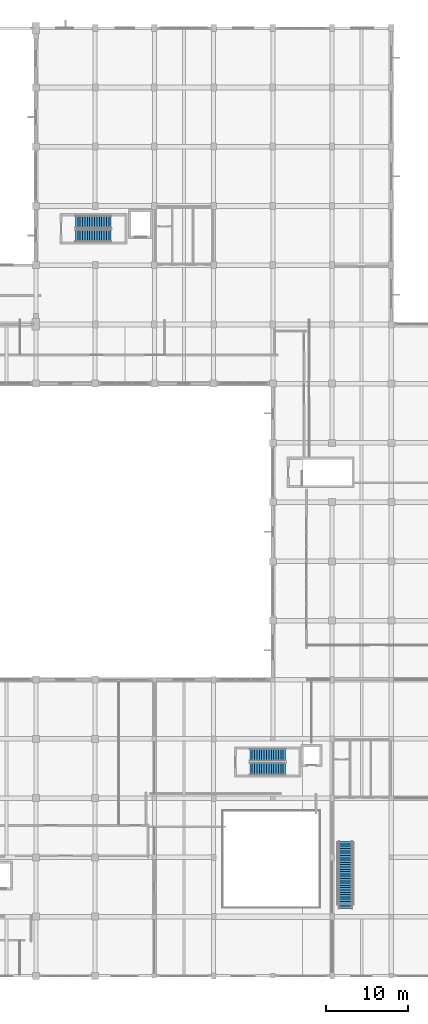
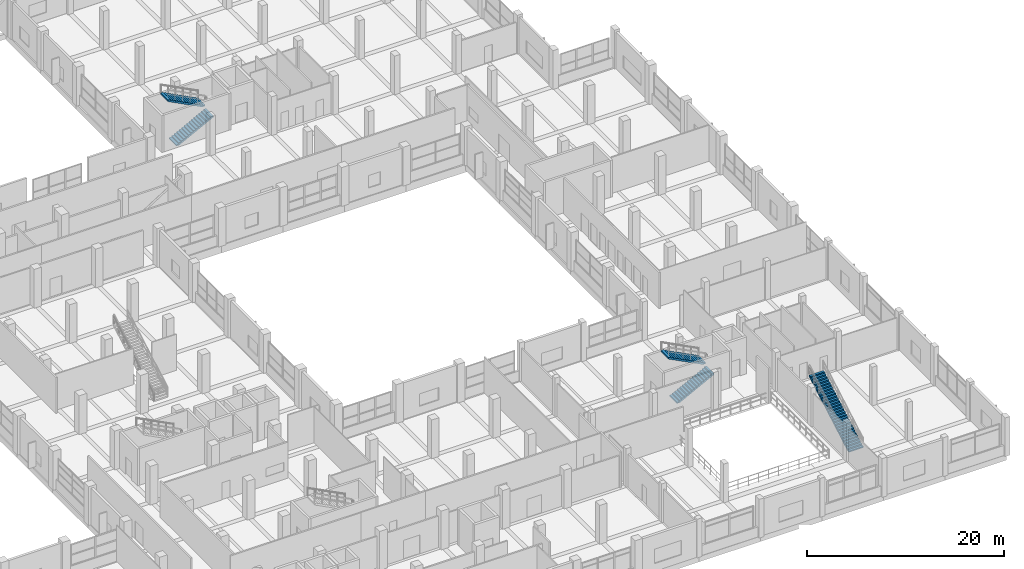
# One storey, part 169 of 181: 5 stair flights, 3 elements without a shape of their own.
"""IFC4 building model written with IfcOpenShell, lengths in metres."""

from ifc_helpers import new_model, si_unit, direction, frame, origin, place, context, subcontext, project, spatial, polyline, outline, extrude, material, type_object, element, aggregate, save


model = new_model("IFC4")

# Units and contexts
model_context = context("Model", 3, precision=1e-05, world=origin(), true_north=direction((0.0, 1.0)))
body_context = subcontext(model_context, "Body", "Model", "MODEL_VIEW")
ifc_project = project(units=[si_unit("LENGTHUNIT", "METRE"), si_unit("AREAUNIT", "SQUARE_METRE"), si_unit("VOLUMEUNIT", "CUBIC_METRE"), si_unit("PLANEANGLEUNIT", "RADIAN"), si_unit("MASSUNIT", "GRAM", prefix="KILO")], contexts=[model_context])

# Site, building, storey
site_placement = place(None, origin())
site = spatial("IfcSite", under=ifc_project, at=site_placement, CompositionType="ELEMENT")
building_placement = place(site_placement, origin())
building = spatial("IfcBuilding", under=site, at=building_placement, Name="Seraya Terrace Polytechnic", CompositionType="ELEMENT")
storey_placement = place(building_placement, frame((0.0, 0.0, 4.800048828125)))
storey = spatial("IfcBuildingStorey", under=building, at=storey_placement, Name="L01", CompositionType="ELEMENT", Elevation=4.800048828125)

# Stair, stair flights
ifc_material = material(Name="Concrete C40/50", Category="concrete")
stair_type_1 = type_object("IfcStairType", Name="ST-T1", PredefinedType="HALF_TURN_STAIR", material=ifc_material)
stair_1_placement = place(storey_placement, origin())
stair_1 = element("IfcStair", 1, at=stair_1_placement, inside=storey, type_object=stair_type_1, Name="L01 Protected exit stair ST-08", PredefinedType="HALF_TURN_STAIR")
stair_flight_type_1 = type_object("IfcStairFlightType", Name="SF-01", PredefinedType="STRAIGHT", material=ifc_material)
stair_flight_1_placement = place(storey_placement, frame((120.0, 89.949951171875, 0.0), z_axis=(0.0, 0.0, 1.0), x_axis=(1.0, 0.0, 0.0)))
stair_flight_1 = element("IfcStairFlight", 2, at=stair_flight_1_placement, type_object=stair_flight_type_1, Name="ST-08 flight 1", NumberOfRisers=16, NumberOfTreads=15, PredefinedType="STRAIGHT", RiserHeight=0.15, TreadLength=0.29, context=body_context, shape_type="SweptSolid", body=[
    extrude(outline(polyline([(0.0, 0.0), (0.0, 0.14990234375), (0.2900390625, 0.14990234375), (0.2900390625, 0.300048828125), (0.580078125, 0.300048828125), (0.580078125, 0.449951171875), (0.8701171875, 0.449951171875), (0.8701171875, 0.60009765625), (1.159912109375, 0.60009765625), (1.159912109375, 0.75), (1.449951171875, 0.75), (1.449951171875, 0.89990234375), (1.739990234375, 0.89990234375), (1.739990234375, 1.050048828125), (2.030029296875, 1.050048828125), (2.030029296875, 1.199951171875), (2.320068359375, 1.199951171875), (2.320068359375, 1.35009765625), (2.610107421875, 1.35009765625), (2.610107421875, 1.5), (2.89990234375, 1.5), (2.89990234375, 1.64990234375), (3.18994140625, 1.64990234375), (3.18994140625, 1.800048828125), (3.47998046875, 1.800048828125), (3.47998046875, 1.949951171875), (3.77001953125, 1.949951171875), (3.77001953125, 2.10009765625), (4.06005859375, 2.10009765625), (4.06005859375, 2.25), (4.35009765625, 2.25), (4.35009765625, 2.39990234375), (4.35009765625, 2.070068359375), (0.34814453125, 0.0), (0.0, 0.0)])), frame((0.0, 0.75, 0.0), z_axis=(0.0, -1.0, 0.0), x_axis=(1.0, 0.0, 0.0)), (0.0, 0.0, 1.0), 1.5),
])
stair_flight_2_placement = place(storey_placement, frame((124.35009765625, 91.64990234375, 2.39990234375), z_axis=(0.0, 0.0, 1.0), x_axis=(-1.0, 0.0, 0.0)))
stair_flight_2 = element("IfcStairFlight", 3, at=stair_flight_2_placement, type_object=stair_flight_type_1, Name="ST-08 flight 2", NumberOfRisers=16, NumberOfTreads=15, PredefinedType="STRAIGHT", RiserHeight=0.15, TreadLength=0.29, context=body_context, shape_type="SweptSolid", body=[
    extrude(outline(polyline([(0.0, 0.0), (0.0, 0.14990234375), (0.2900390625, 0.14990234375), (0.2900390625, 0.300048828125), (0.580078125, 0.300048828125), (0.580078125, 0.449951171875), (0.8701171875, 0.449951171875), (0.8701171875, 0.60009765625), (1.159912109375, 0.60009765625), (1.159912109375, 0.75), (1.449951171875, 0.75), (1.449951171875, 0.89990234375), (1.739990234375, 0.89990234375), (1.739990234375, 1.050048828125), (2.030029296875, 1.050048828125), (2.030029296875, 1.199951171875), (2.320068359375, 1.199951171875), (2.320068359375, 1.35009765625), (2.610107421875, 1.35009765625), (2.610107421875, 1.5), (2.89990234375, 1.5), (2.89990234375, 1.64990234375), (3.18994140625, 1.64990234375), (3.18994140625, 1.800048828125), (3.47998046875, 1.800048828125), (3.47998046875, 1.949951171875), (3.77001953125, 1.949951171875), (3.77001953125, 2.10009765625), (4.06005859375, 2.10009765625), (4.06005859375, 2.25), (4.35009765625, 2.25), (4.35009765625, 2.39990234375), (4.35009765625, 2.070068359375), (0.34814453125, 0.0), (0.0, 0.0)])), frame((0.0, 0.75, 0.0), z_axis=(0.0, -1.0, 0.0), x_axis=(1.0, 0.0, 0.0)), (0.0, 0.0, 1.0), 1.5),
])
aggregate(stair_1, [stair_flight_1, stair_flight_2])

stair_2_placement = place(storey_placement, origin())
stair_2 = element("IfcStair", 4, at=stair_2_placement, inside=storey, type_object=stair_type_1, Name="L01 Protected exit stair ST-10", PredefinedType="HALF_TURN_STAIR")
stair_flight_3_placement = place(storey_placement, frame((141.199951171875, 25.14990234375, 0.0), z_axis=(0.0, 0.0, 1.0), x_axis=(1.0, 0.0, 0.0)))
stair_flight_3 = element("IfcStairFlight", 5, at=stair_flight_3_placement, type_object=stair_flight_type_1, Name="ST-10 flight 1", NumberOfRisers=16, NumberOfTreads=15, PredefinedType="STRAIGHT", RiserHeight=0.15, TreadLength=0.29, context=body_context, shape_type="SweptSolid", body=[
    extrude(outline(polyline([(0.0, 0.0), (0.0, 0.14990234375), (0.2900390625, 0.14990234375), (0.2900390625, 0.300048828125), (0.580078125, 0.300048828125), (0.580078125, 0.449951171875), (0.8701171875, 0.449951171875), (0.8701171875, 0.60009765625), (1.159912109375, 0.60009765625), (1.159912109375, 0.75), (1.449951171875, 0.75), (1.449951171875, 0.89990234375), (1.739990234375, 0.89990234375), (1.739990234375, 1.050048828125), (2.030029296875, 1.050048828125), (2.030029296875, 1.199951171875), (2.320068359375, 1.199951171875), (2.320068359375, 1.35009765625), (2.610107421875, 1.35009765625), (2.610107421875, 1.5), (2.89990234375, 1.5), (2.89990234375, 1.64990234375), (3.18994140625, 1.64990234375), (3.18994140625, 1.800048828125), (3.47998046875, 1.800048828125), (3.47998046875, 1.949951171875), (3.77001953125, 1.949951171875), (3.77001953125, 2.10009765625), (4.06005859375, 2.10009765625), (4.06005859375, 2.25), (4.35009765625, 2.25), (4.35009765625, 2.39990234375), (4.35009765625, 2.070068359375), (0.34814453125, 0.0), (0.0, 0.0)])), frame((0.0, 0.75, 0.0), z_axis=(0.0, -1.0, 0.0), x_axis=(1.0, 0.0, 0.0)), (0.0, 0.0, 1.0), 1.5),
])
stair_flight_4_placement = place(storey_placement, frame((145.550048828125, 26.85009765625, 2.39990234375), z_axis=(0.0, 0.0, 1.0), x_axis=(-1.0, 0.0, 0.0)))
stair_flight_4 = element("IfcStairFlight", 6, at=stair_flight_4_placement, type_object=stair_flight_type_1, Name="ST-10 flight 2", NumberOfRisers=16, NumberOfTreads=15, PredefinedType="STRAIGHT", RiserHeight=0.15, TreadLength=0.29, context=body_context, shape_type="SweptSolid", body=[
    extrude(outline(polyline([(0.0, 0.0), (0.0, 0.14990234375), (0.2900390625, 0.14990234375), (0.2900390625, 0.300048828125), (0.580078125, 0.300048828125), (0.580078125, 0.449951171875), (0.8701171875, 0.449951171875), (0.8701171875, 0.60009765625), (1.159912109375, 0.60009765625), (1.159912109375, 0.75), (1.449951171875, 0.75), (1.449951171875, 0.89990234375), (1.739990234375, 0.89990234375), (1.739990234375, 1.050048828125), (2.030029296875, 1.050048828125), (2.030029296875, 1.199951171875), (2.320068359375, 1.199951171875), (2.320068359375, 1.35009765625), (2.610107421875, 1.35009765625), (2.610107421875, 1.5), (2.89990234375, 1.5), (2.89990234375, 1.64990234375), (3.18994140625, 1.64990234375), (3.18994140625, 1.800048828125), (3.47998046875, 1.800048828125), (3.47998046875, 1.949951171875), (3.77001953125, 1.949951171875), (3.77001953125, 2.10009765625), (4.06005859375, 2.10009765625), (4.06005859375, 2.25), (4.35009765625, 2.25), (4.35009765625, 2.39990234375), (4.35009765625, 2.070068359375), (0.34814453125, 0.0), (0.0, 0.0)])), frame((0.0, 0.75, 0.0), z_axis=(0.0, -1.0, 0.0), x_axis=(1.0, 0.0, 0.0)), (0.0, 0.0, 1.0), 1.5),
])
aggregate(stair_2, [stair_flight_3, stair_flight_4])

# Stair, stair flight
stair_type_2 = type_object("IfcStairType", Name="ST-T4", PredefinedType="STRAIGHT_RUN_STAIR", material=ifc_material)
stair_3_placement = place(storey_placement, origin())
stair_3 = element("IfcStair", 7, at=stair_3_placement, inside=storey, type_object=stair_type_2, Name="Architectural straight stair ST-14 L01", PredefinedType="STRAIGHT_RUN_STAIR")
stair_flight_type_2 = type_object("IfcStairFlightType", Name="SF-04", PredefinedType="STRAIGHT", material=ifc_material)
stair_flight_5_placement = place(storey_placement, frame((152.840087890625, 8.199951171875, 0.0), z_axis=(0.0, 0.0, 1.0), x_axis=(0.0, 1.0, 0.0)))
stair_flight_5 = element("IfcStairFlight", 8, at=stair_flight_5_placement, type_object=stair_flight_type_2, Name="ST-14 flight 1", NumberOfRisers=30, NumberOfTreads=29, PredefinedType="STRAIGHT", RiserHeight=0.16, TreadLength=0.28, context=body_context, shape_type="SweptSolid", body=[
    extrude(outline(polyline([(0.0, 0.0), (0.0, 0.159912109375), (0.280029296875, 0.159912109375), (0.280029296875, 0.320068359375), (0.56005859375, 0.320068359375), (0.56005859375, 0.47998046875), (0.840087890625, 0.47998046875), (0.840087890625, 0.639892578125), (1.1201171875, 0.639892578125), (1.1201171875, 0.800048828125), (1.39990234375, 0.800048828125), (1.39990234375, 0.9599609375), (1.679931640625, 0.9599609375), (1.679931640625, 1.1201171875), (1.9599609375, 1.1201171875), (1.9599609375, 1.280029296875), (2.239990234375, 1.280029296875), (2.239990234375, 1.43994140625), (2.52001953125, 1.43994140625), (2.52001953125, 1.60009765625), (2.800048828125, 1.60009765625), (2.800048828125, 1.760009765625), (3.080078125, 1.760009765625), (3.080078125, 1.919921875), (3.360107421875, 1.919921875), (3.360107421875, 2.080078125), (3.639892578125, 2.080078125), (3.639892578125, 2.239990234375), (3.919921875, 2.239990234375), (3.919921875, 2.39990234375), (4.199951171875, 2.39990234375), (4.199951171875, 2.56005859375), (4.47998046875, 2.56005859375), (4.47998046875, 2.719970703125), (4.760009765625, 2.719970703125), (4.760009765625, 2.8798828125), (5.0400390625, 2.8798828125), (5.0400390625, 3.0400390625), (5.320068359375, 3.0400390625), (5.320068359375, 3.199951171875), (5.60009765625, 3.199951171875), (5.60009765625, 3.360107421875), (5.8798828125, 3.360107421875), (5.8798828125, 3.52001953125), (6.159912109375, 3.52001953125), (6.159912109375, 3.679931640625), (6.43994140625, 3.679931640625), (6.43994140625, 3.840087890625), (6.719970703125, 3.840087890625), (6.719970703125, 4.0), (7.0, 4.0), (7.0, 4.159912109375), (7.280029296875, 4.159912109375), (7.280029296875, 4.320068359375), (7.56005859375, 4.320068359375), (7.56005859375, 4.47998046875), (7.840087890625, 4.47998046875), (7.840087890625, 4.639892578125), (8.1201171875, 4.639892578125), (8.1201171875, 4.800048828125), (8.1201171875, 4.432861328125), (0.362548828125, 0.0), (0.0, 0.0)])), frame((0.0, 0.83984375, 0.0), z_axis=(0.0, -1.0, 0.0), x_axis=(1.0, 0.0, 0.0)), (0.0, 0.0, 1.0), 1.679931640625),
])
aggregate(stair_3, [stair_flight_5])

save(model, "model.ifc")
